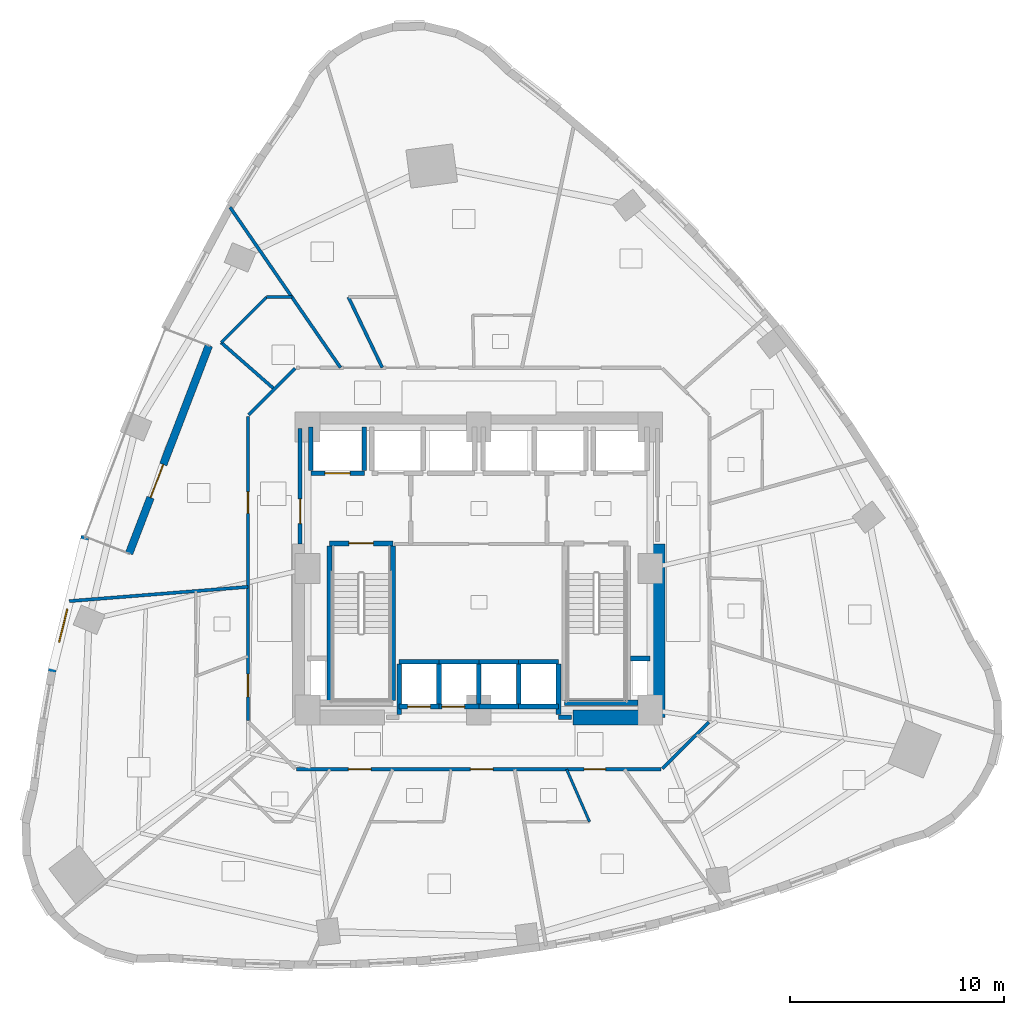
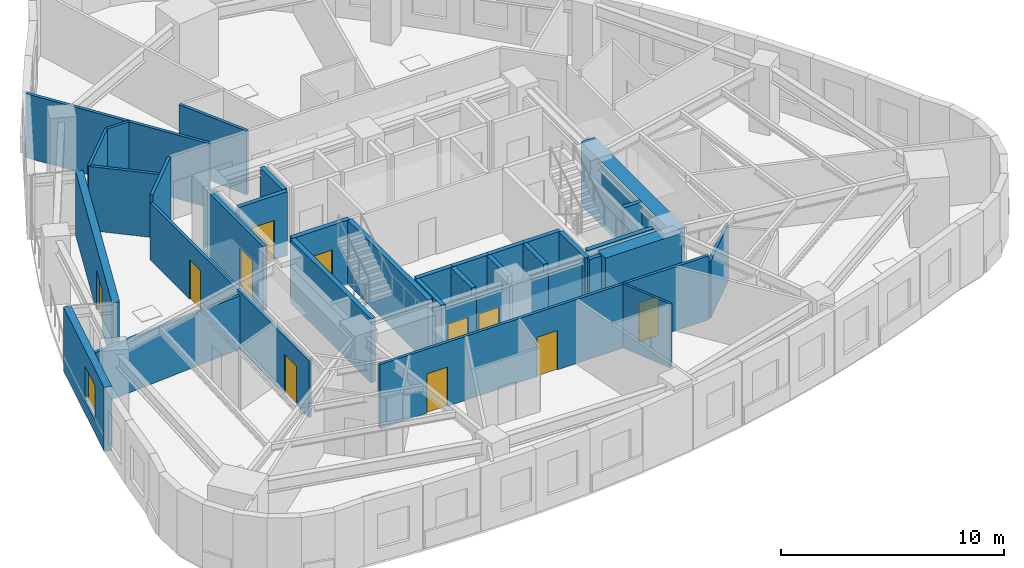
# One storey, part 6 of 12: 38 walls, 11 doors, 1 window, 12 openings.
"""IFC4 building model written with IfcOpenShell, lengths in metres."""

from ifc_helpers import new_model, si_unit, direction, frame, frame_2d, origin, place, context, subcontext, project, spatial, rectangle, extrude, material, layer, layer_set, type_object, element, fill, save


model = new_model("IFC4")

# Units and contexts
model_context = context("Model", 3, precision=1e-05, world=origin(), true_north=direction((0.0, 1.0)))
body_context = subcontext(model_context, "Body", "Model", "MODEL_VIEW")
ifc_project = project(units=[si_unit("LENGTHUNIT", "METRE"), si_unit("AREAUNIT", "SQUARE_METRE"), si_unit("VOLUMEUNIT", "CUBIC_METRE"), si_unit("PLANEANGLEUNIT", "RADIAN"), si_unit("MASSUNIT", "GRAM", prefix="KILO")], contexts=[model_context])

# Site, building, storey
site_placement = place(None, origin())
site = spatial("IfcSite", under=ifc_project, at=site_placement, CompositionType="ELEMENT")
building_placement = place(site_placement, origin())
building = spatial("IfcBuilding", under=site, at=building_placement, Name="Ndelora Gate Hotel", CompositionType="ELEMENT")
storey_placement = place(building_placement, frame((0.0, 0.0, 64.25)))
storey = spatial("IfcBuildingStorey", under=building, at=storey_placement, Name="L15", CompositionType="ELEMENT", Elevation=64.25)

# Wall, opening, door
ifc_material_1 = material(Name="Clay Brick Masonry", Category="masonry")
ifc_layer_1 = layer(ifc_material_1, 0.360107421875)
ifc_layer_set_1 = layer_set([ifc_layer_1], Name="Clay Brick Masonry")
wall_type_1 = type_object("IfcWallType", Name="WL-BRICK-360", PredefinedType="SOLIDWALL", material=ifc_layer_set_1)
wall_1_placement = place(storey_placement, frame((-16.335693359375, 0.70068359375, 0.0), z_axis=(0.0, 0.0, 1.0), x_axis=(0.358370224529, 0.93357955321, 0.0)))
wall_1 = element("IfcWall", 1, at=wall_1_placement, inside=storey, type_object=wall_type_1, Name="L15 Sky-Garden Loggia Rear Brick Wall", PredefinedType="SOLIDWALL", context=body_context, shape_type="SweptSolid", body=[
    extrude(rectangle(XDim=10.39990234375, YDim=0.360107421875, at=frame_2d((5.199951171875, 0.0))), origin(), (0.0, 0.0, 1.0), 3.5),
])
opening_1_placement = place(wall_1_placement, frame((2.800048828125, 0.0, 0.0)))
opening_1 = element("IfcOpeningElement", 2, at=opening_1_placement, cuts=wall_1, Name="Opening TD1", PredefinedType="OPENING", context=body_context, shape_type="SweptSolid", body=[
    extrude(rectangle(XDim=1.64990234375, YDim=2.25, at=frame_2d((0.824951171875, 1.125))), frame((0.0, 0.18994140625, 0.0), z_axis=(0.0, -1.0, 0.0), x_axis=(1.0, 0.0, 0.0)), (0.0, 0.0, 1.0), 0.380126953125),
])
ifc_material_2 = material(Name="Architectural Bronze Glazed Door", Category="metal")
door_type_1 = type_object("IfcDoorType", Name="DR-TER-1650", OperationType="DOUBLE_DOOR_SINGLE_SWING", PredefinedType="DOOR", material=ifc_material_2)
door_1_placement = place(opening_1_placement, origin())
door_1 = element("IfcDoor", 3, at=door_1_placement, inside=storey, type_object=door_type_1, Name="L15 Sky-Garden Terrace Double Door TD1", OperationType="DOUBLE_DOOR_SINGLE_SWING", OverallHeight=2.25, OverallWidth=1.64990234375, PredefinedType="DOOR", context=body_context, shape_type="SweptSolid", body=[
    extrude(rectangle(XDim=1.64990234375, YDim=2.25, at=frame_2d((0.824951171875, 1.125))), frame((0.0, 0.02490234375, 0.0), z_axis=(0.0, -1.0, 0.0), x_axis=(1.0, 0.0, 0.0)), (0.0, 0.0, 1.0), 0.050048828125),
])
fill(opening_1, door_1)

# Wall, opening, window
wall_2_placement = place(storey_placement, frame((-19.951416015625, -4.86279296875, 0.0), z_axis=(0.0, 0.0, 1.0), x_axis=(0.238780649109, 0.971073530486, 0.0)))
wall_2 = element("IfcWall", 4, at=wall_2_placement, inside=storey, type_object=wall_type_1, Name="L15 Tower Brick Pier-and-Spandrel Wall TWR-16", PredefinedType="SOLIDWALL", context=body_context, shape_type="SweptSolid", body=[
    extrude(rectangle(XDim=6.566162109375, YDim=0.360107421875, at=frame_2d((3.283203125, 0.0))), origin(), (0.0, 0.0, 1.0), 3.5),
])
opening_2_placement = place(wall_2_placement, frame((1.4599609375, 0.0, 0.719970703125)))
opening_2 = element("IfcOpeningElement", 5, at=opening_2_placement, cuts=wall_2, Name="Opening W01", PredefinedType="OPENING", context=body_context, shape_type="SweptSolid", body=[
    extrude(rectangle(XDim=1.60009765625, YDim=1.8798828125, at=frame_2d((0.800048828125, 0.93994140625))), frame((0.0, 0.18994140625, 0.0), z_axis=(0.0, -1.0, 0.0), x_axis=(1.0, 0.0, 0.0)), (0.0, 0.0, 1.0), 0.380126953125),
])
ifc_material_3 = material(Name="Insulated Low-E Double Glazing in Bronze Aluminium Frame", Category="aluminium")
window_type = type_object("IfcWindowType", Name="WN-DEEP-1600", PartitioningType="SINGLE_PANEL", PredefinedType="WINDOW", material=ifc_material_3)
window_placement = place(opening_2_placement, origin())
window = element("IfcWindow", 6, at=window_placement, inside=storey, type_object=window_type, Name="L15 Deep-Set Brick-Pier Window W01", OverallHeight=1.8798828125, OverallWidth=1.60009765625, PartitioningType="SINGLE_PANEL", PredefinedType="WINDOW", context=body_context, shape_type="SweptSolid", body=[
    extrude(rectangle(XDim=1.60009765625, YDim=1.8798828125, at=frame_2d((0.800048828125, 0.93994140625))), frame((0.0, 0.030029296875, 0.0), z_axis=(0.0, -1.0, 0.0), x_axis=(1.0, 0.0, 0.0)), (0.0, 0.0, 1.0), 0.06005859375),
])
fill(opening_2, window)

# Walls
ifc_material_4 = material(Name="Concrete C60/75", Category="concrete")
ifc_layer_2 = layer(ifc_material_4, 0.699951171875)
ifc_layer_set_2 = layer_set([ifc_layer_2], Name="Concrete C60/75")
wall_type_2 = type_object("IfcWallType", Name="WL-CORE-700", PredefinedType="SHEAR", material=ifc_layer_set_2)
wall_3_placement = place(storey_placement, frame((4.39990234375, -6.949951171875, 0.0), z_axis=(0.0, 0.0, 1.0), x_axis=(1.0, 0.0, 0.0)))
element("IfcWall", 7, at=wall_3_placement, inside=storey, type_object=wall_type_2, Name="L15 Core Shear Wall S-E", PredefinedType="SHEAR", context=body_context, shape_type="SweptSolid", body=[
    extrude(rectangle(XDim=3.9501953125, YDim=0.699951171875, at=frame_2d((1.97509765625, 0.0))), origin(), (0.0, 0.0, 1.0), 3.5),
])
wall_4_placement = place(storey_placement, frame((8.35009765625, -6.949951171875, 0.0), z_axis=(0.0, 0.0, 1.0), x_axis=(0.0, 1.0, 0.0)))
element("IfcWall", 8, at=wall_4_placement, inside=storey, type_object=wall_type_2, Name="L15 Core Shear Wall E", PredefinedType="SHEAR", context=body_context, shape_type="SweptSolid", body=[
    extrude(rectangle(XDim=8.099853515625, YDim=0.699951171875, at=frame_2d((4.0498046875, 0.0))), origin(), (0.0, 0.0, 1.0), 3.5),
])

# Wall, opening, door
ifc_material_5 = material(Name="Concrete C40/50", Category="concrete")
ifc_layer_3 = layer(ifc_material_5, 0.199951171875)
ifc_layer_set_3 = layer_set([ifc_layer_3], Name="Concrete C40/50")
wall_type_3 = type_object("IfcWallType", Name="WL-FIRE-200", PredefinedType="PARTITIONING", material=ifc_layer_set_3)
wall_5_placement = place(storey_placement, frame((-8.35009765625, 1.14990234375, 0.0), z_axis=(0.0, 0.0, 1.0), x_axis=(0.0, 1.0, 0.0)))
wall_5 = element("IfcWall", 9, at=wall_5_placement, inside=storey, type_object=wall_type_3, Name="L15 Interior Wall IW-2", PredefinedType="PARTITIONING", context=body_context, shape_type="SweptSolid", body=[
    extrude(rectangle(XDim=5.400146484375, YDim=0.199951171875, at=frame_2d((2.7001953125, 0.0))), origin(), (0.0, 0.0, 1.0), 3.5),
])
opening_3_placement = place(wall_5_placement, frame((0.949951171875, 0.0, 0.0)))
opening_3 = element("IfcOpeningElement", 10, at=opening_3_placement, cuts=wall_5, Name="Opening FD1", PredefinedType="OPENING", context=body_context, shape_type="SweptSolid", body=[
    extrude(rectangle(XDim=1.14990234375, YDim=2.14990234375, at=frame_2d((0.574951171875, 1.074951171875))), frame((0.0, 0.10986328125, 0.0), z_axis=(0.0, -1.0, 0.0), x_axis=(1.0, 0.0, 0.0)), (0.0, 0.0, 1.0), 0.219970703125),
])
ifc_material_6 = material(Name="Fire-Rated Timber-Veneer Steel Core", Category="steel")
door_type_2 = type_object("IfcDoorType", Name="DR-FD60", OperationType="SINGLE_SWING_LEFT", PredefinedType="DOOR", material=ifc_material_6)
door_2_placement = place(opening_3_placement, origin())
door_2 = element("IfcDoor", 11, at=door_2_placement, inside=storey, type_object=door_type_2, Name="L15 Firefighting Lobby West Corridor Door", OperationType="SINGLE_SWING_LEFT", OverallHeight=2.14990234375, OverallWidth=1.14990234375, PredefinedType="DOOR", context=body_context, shape_type="SweptSolid", body=[
    extrude(rectangle(XDim=1.14990234375, YDim=2.14990234375, at=frame_2d((0.574951171875, 1.074951171875))), frame((0.0, 0.02490234375, 0.0), z_axis=(0.0, -1.0, 0.0), x_axis=(1.0, 0.0, 0.0)), (0.0, 0.0, 1.0), 0.050048828125),
])
fill(opening_3, door_2)

# Wall
wall_6_placement = place(storey_placement, frame((3.719970703125, -6.949951171875, 0.0), z_axis=(0.0, 0.0, 1.0), x_axis=(1.0, 0.0, 0.0)))
element("IfcWall", 12, at=wall_6_placement, inside=storey, type_object=wall_type_3, Name="L15 Interior Wall IW-2", PredefinedType="PARTITIONING", context=body_context, shape_type="SweptSolid", body=[
    extrude(rectangle(XDim=0.60009765625, YDim=0.199951171875, at=frame_2d((0.300048828125, 0.0))), origin(), (0.0, 0.0, 1.0), 3.5),
])

# Wall, openings, doors
ifc_material_7 = material(Name="Fire-Rated Gypsum Stud Partition", Category="gypsum")
ifc_layer_4 = layer(ifc_material_7, 0.14990234375)
ifc_layer_set_4 = layer_set([ifc_layer_4], Name="Fire-Rated Gypsum Stud Partition")
wall_type_4 = type_object("IfcWallType", Name="WL-PART-150", PredefinedType="PARTITIONING", material=ifc_layer_set_4)
wall_7_placement = place(storey_placement, frame((8.510009765625, -9.3798828125, 0.0), z_axis=(0.0, 0.0, 1.0), x_axis=(-1.0, 0.0, 0.0)))
wall_7 = element("IfcWall", 13, at=wall_7_placement, inside=storey, type_object=wall_type_4, Name="L15 Interior Wall IW-5", PredefinedType="PARTITIONING", context=body_context, shape_type="SweptSolid", body=[
    extrude(rectangle(XDim=17.02001953125, YDim=0.14990234375, at=frame_2d((8.510009765625, 0.0))), origin(), (0.0, 0.0, 1.0), 3.5),
])
opening_4_placement = place(wall_7_placement, frame((2.58935546875, 0.0, 0.0)))
opening_4 = element("IfcOpeningElement", 14, at=opening_4_placement, cuts=wall_7, Name="Opening D01", PredefinedType="OPENING", context=body_context, shape_type="SweptSolid", body=[
    extrude(rectangle(XDim=1.0, YDim=2.14990234375, at=frame_2d((0.5, 1.074951171875))), frame((0.0, 0.0849609375, 0.0), z_axis=(0.0, -1.0, 0.0), x_axis=(1.0, 0.0, 0.0)), (0.0, 0.0, 1.0), 0.169921875),
])
opening_5_placement = place(wall_7_placement, frame((7.842529296875, 0.0, 0.0)))
opening_5 = element("IfcOpeningElement", 15, at=opening_5_placement, cuts=wall_7, Name="Opening D07", PredefinedType="OPENING", context=body_context, shape_type="SweptSolid", body=[
    extrude(rectangle(XDim=1.06005859375, YDim=2.14990234375, at=frame_2d((0.530029296875, 1.074951171875))), frame((0.0, 0.0849609375, 0.0), z_axis=(0.0, -1.0, 0.0), x_axis=(1.0, 0.0, 0.0)), (0.0, 0.0, 1.0), 0.169921875),
])
opening_6_placement = place(wall_7_placement, frame((13.537353515625, 0.0, 0.0)))
opening_6 = element("IfcOpeningElement", 16, at=opening_6_placement, cuts=wall_7, Name="Opening D07", PredefinedType="OPENING", context=body_context, shape_type="SweptSolid", body=[
    extrude(rectangle(XDim=1.06005859375, YDim=2.14990234375, at=frame_2d((0.530029296875, 1.074951171875))), frame((0.0, 0.0849609375, 0.0), z_axis=(0.0, -1.0, 0.0), x_axis=(1.0, 0.0, 0.0)), (0.0, 0.0, 1.0), 0.169921875),
])
ifc_material_8 = material(Name="Acoustic Hardwood Guest Entrance Door", Category="wood")
door_type_3 = type_object("IfcDoorType", Name="DR-COR-1000", OperationType="SINGLE_SWING_LEFT", PredefinedType="DOOR", material=ifc_material_8)
door_3_placement = place(opening_4_placement, origin())
door_3 = element("IfcDoor", 17, at=door_3_placement, inside=storey, type_object=door_type_3, Name="L15 Executive King Guest Room 1804 Entrance Door", OperationType="SINGLE_SWING_LEFT", OverallHeight=2.14990234375, OverallWidth=1.0, PredefinedType="DOOR", context=body_context, shape_type="SweptSolid", body=[
    extrude(rectangle(XDim=1.0, YDim=2.14990234375, at=frame_2d((0.5, 1.074951171875))), frame((0.0, 0.02490234375, 0.0), z_axis=(0.0, -1.0, 0.0), x_axis=(1.0, 0.0, 0.0)), (0.0, 0.0, 1.0), 0.050048828125),
])
fill(opening_4, door_3)
ifc_material_9 = material(Name="Diplomatic Suite Acoustic Entrance Door", Category="wood")
door_type_4 = type_object("IfcDoorType", Name="DR-SUITE-1060", OperationType="SINGLE_SWING_LEFT", PredefinedType="DOOR", material=ifc_material_9)
door_4_placement = place(opening_5_placement, origin())
door_4 = element("IfcDoor", 18, at=door_4_placement, inside=storey, type_object=door_type_4, Name="L15 Corner Junior Suite 1803 Entrance Door", OperationType="SINGLE_SWING_RIGHT", OverallHeight=2.14990234375, OverallWidth=1.06005859375, PredefinedType="DOOR", context=body_context, shape_type="SweptSolid", body=[
    extrude(rectangle(XDim=1.06005859375, YDim=2.14990234375, at=frame_2d((0.530029296875, 1.074951171875))), frame((0.0, 0.02490234375, 0.0), z_axis=(0.0, -1.0, 0.0), x_axis=(1.0, 0.0, 0.0)), (0.0, 0.0, 1.0), 0.050048828125),
])
fill(opening_5, door_4)
door_5_placement = place(opening_6_placement, origin())
door_5 = element("IfcDoor", 19, at=door_5_placement, inside=storey, type_object=door_type_4, Name="L15 Twin Junior Suite 1802 Entrance Door", OperationType="SINGLE_SWING_RIGHT", OverallHeight=2.14990234375, OverallWidth=1.06005859375, PredefinedType="DOOR", context=body_context, shape_type="SweptSolid", body=[
    extrude(rectangle(XDim=1.06005859375, YDim=2.14990234375, at=frame_2d((0.530029296875, 1.074951171875))), frame((0.0, 0.02490234375, 0.0), z_axis=(0.0, -1.0, 0.0), x_axis=(1.0, 0.0, 0.0)), (0.0, 0.0, 1.0), 0.050048828125),
])
fill(opening_6, door_5)

# Walls
wall_8_placement = place(storey_placement, frame((10.751708984375, -7.17822265625, 0.0), z_axis=(0.0, 0.0, 1.0), x_axis=(-0.707067066127, -0.707146494016, 0.0)))
element("IfcWall", 20, at=wall_8_placement, inside=storey, type_object=wall_type_4, Name="L15 Interior Wall IW-5", PredefinedType="PARTITIONING", context=body_context, shape_type="SweptSolid", body=[
    extrude(rectangle(XDim=3.07373046875, YDim=0.14990234375, at=frame_2d((1.536865234375, 0.0))), origin(), (0.0, 0.0, 1.0), 3.1201171875),
])
wall_9_placement = place(storey_placement, frame((-10.751708984375, 7.17822265625, 0.0), z_axis=(0.0, 0.0, 1.0), x_axis=(0.707067066127, 0.707146494016, 0.0)))
element("IfcWall", 21, at=wall_9_placement, inside=storey, type_object=wall_type_4, Name="L15 Interior Wall IW-5", PredefinedType="PARTITIONING", context=body_context, shape_type="SweptSolid", body=[
    extrude(rectangle(XDim=3.07373046875, YDim=0.14990234375, at=frame_2d((1.536865234375, 0.0))), origin(), (0.0, 0.0, 1.0), 3.5),
])

# Wall, openings, doors
wall_10_placement = place(storey_placement, frame((-10.780029296875, -7.110107421875, 0.0), z_axis=(0.0, 0.0, 1.0), x_axis=(0.0, 1.0, 0.0)))
wall_10 = element("IfcWall", 22, at=wall_10_placement, inside=storey, type_object=wall_type_4, Name="L15 Interior Wall IW-5", PredefinedType="PARTITIONING", context=body_context, shape_type="SweptSolid", body=[
    extrude(rectangle(XDim=14.22021484375, YDim=0.14990234375, at=frame_2d((7.110107421875, 0.0))), origin(), (0.0, 0.0, 1.0), 3.1201171875),
])
opening_7_placement = place(wall_10_placement, frame((9.685302734375, 0.0, 0.0)))
opening_7 = element("IfcOpeningElement", 23, at=opening_7_placement, cuts=wall_10, Name="Opening D01", PredefinedType="OPENING", context=body_context, shape_type="SweptSolid", body=[
    extrude(rectangle(XDim=1.0, YDim=2.14990234375, at=frame_2d((0.5, 1.074951171875))), frame((0.0, 0.0849609375, 0.0), z_axis=(0.0, -1.0, 0.0), x_axis=(1.0, 0.0, 0.0)), (0.0, 0.0, 1.0), 0.169921875),
])
opening_8_placement = place(wall_10_placement, frame((1.11279296875, 0.0, 0.0)))
opening_8 = element("IfcOpeningElement", 24, at=opening_8_placement, cuts=wall_10, Name="Opening D07", PredefinedType="OPENING", context=body_context, shape_type="SweptSolid", body=[
    extrude(rectangle(XDim=1.06005859375, YDim=2.14990234375, at=frame_2d((0.530029296875, 1.074951171875))), frame((0.0, 0.0849609375, 0.0), z_axis=(0.0, -1.0, 0.0), x_axis=(1.0, 0.0, 0.0)), (0.0, 0.0, 1.0), 0.169921875),
])
door_6_placement = place(opening_7_placement, origin())
door_6 = element("IfcDoor", 25, at=door_6_placement, inside=storey, type_object=door_type_3, Name="L15 Sky Garden Tea Dining Room Entrance Door", OperationType="SINGLE_SWING_LEFT", OverallHeight=2.14990234375, OverallWidth=1.0, PredefinedType="DOOR", context=body_context, shape_type="SweptSolid", body=[
    extrude(rectangle(XDim=1.0, YDim=2.14990234375, at=frame_2d((0.5, 1.074951171875))), frame((0.0, 0.02490234375, 0.0), z_axis=(0.0, -1.0, 0.0), x_axis=(1.0, 0.0, 0.0)), (0.0, 0.0, 1.0), 0.050048828125),
])
fill(opening_7, door_6)
door_7_placement = place(opening_8_placement, origin())
door_7 = element("IfcDoor", 26, at=door_7_placement, inside=storey, type_object=door_type_4, Name="L15 Superior Double Junior Suite 1801 Entrance Door", OperationType="SINGLE_SWING_RIGHT", OverallHeight=2.14990234375, OverallWidth=1.06005859375, PredefinedType="DOOR", context=body_context, shape_type="SweptSolid", body=[
    extrude(rectangle(XDim=1.06005859375, YDim=2.14990234375, at=frame_2d((0.530029296875, 1.074951171875))), frame((0.0, 0.02490234375, 0.0), z_axis=(0.0, -1.0, 0.0), x_axis=(1.0, 0.0, 0.0)), (0.0, 0.0, 1.0), 0.050048828125),
])
fill(opening_8, door_7)

# Walls
wall_11_placement = place(storey_placement, frame((-9.552490234375, 8.37744140625, 0.0), z_axis=(0.0, 0.0, 1.0), x_axis=(-0.751807906315, 0.659382189631, 0.0)))
element("IfcWall", 27, at=wall_11_placement, inside=storey, type_object=wall_type_4, Name="L15 Interior Wall IW-5", PredefinedType="PARTITIONING", context=body_context, shape_type="SweptSolid", body=[
    extrude(rectangle(XDim=3.30712890625, YDim=0.14990234375, at=frame_2d((1.653564453125, 0.0))), origin(), (0.0, 0.0, 1.0), 3.5),
])
wall_12_placement = place(storey_placement, frame((-10.780029296875, -0.85888671875, 0.0), z_axis=(0.0, 0.0, 1.0), x_axis=(-0.996838958, -0.079448674079, 0.0)))
element("IfcWall", 28, at=wall_12_placement, inside=storey, type_object=wall_type_4, Name="L15 Interior Wall IW-5", PredefinedType="PARTITIONING", context=body_context, shape_type="SweptSolid", body=[
    extrude(rectangle(XDim=8.376708984375, YDim=0.14990234375, at=frame_2d((4.1884765625, 0.0))), origin(), (0.0, 0.0, 1.0), 2.929931640625),
])
wall_13_placement = place(storey_placement, frame((-4.507568359375, 9.3798828125, 0.0), z_axis=(0.0, 0.0, 1.0), x_axis=(-0.433155901161, 0.901319014162, 0.0)))
element("IfcWall", 29, at=wall_13_placement, inside=storey, type_object=wall_type_4, Name="L15 Interior Wall IW-5", PredefinedType="PARTITIONING", context=body_context, shape_type="SweptSolid", body=[
    extrude(rectangle(XDim=3.661376953125, YDim=0.14990234375, at=frame_2d((1.83056640625, 0.0))), origin(), (0.0, 0.0, 1.0), 3.5),
])
wall_14_placement = place(storey_placement, frame((-6.460205078125, 9.3798828125, 0.0), z_axis=(0.0, 0.0, 1.0), x_axis=(-0.567187966885, 0.823588374263, 0.0)))
element("IfcWall", 30, at=wall_14_placement, inside=storey, type_object=wall_type_4, Name="L15 Interior Wall IW-5", PredefinedType="PARTITIONING", context=body_context, shape_type="SweptSolid", body=[
    extrude(rectangle(XDim=9.09912109375, YDim=0.14990234375, at=frame_2d((4.549560546875, 0.0))), origin(), (0.0, 0.0, 1.0), 3.5),
])
ifc_layer_5 = layer(ifc_material_5, 0.219970703125)
ifc_layer_set_5 = layer_set([ifc_layer_5], Name="Concrete C40/50")
wall_type_5 = type_object("IfcWallType", Name="WL-SHAFT-220", PredefinedType="PARTITIONING", material=ifc_layer_set_5)
wall_15_placement = place(storey_placement, frame((7.090087890625, -4.199951171875, 0.0), z_axis=(0.0, 0.0, 1.0), x_axis=(1.0, 0.0, 0.0)))
element("IfcWall", 31, at=wall_15_placement, inside=storey, type_object=wall_type_5, Name="L15 Interior Wall IW-1", PredefinedType="PARTITIONING", context=body_context, shape_type="SweptSolid", body=[
    extrude(rectangle(XDim=0.909912109375, YDim=0.219970703125, at=frame_2d((0.455078125, 0.0))), origin(), (0.0, 0.0, 1.0), 3.5),
])

# Wall, opening, door
wall_16_placement = place(storey_placement, frame((-7.85009765625, 4.449951171875, 0.0), z_axis=(0.0, 0.0, 1.0), x_axis=(1.0, 0.0, 0.0)))
wall_16 = element("IfcWall", 32, at=wall_16_placement, inside=storey, type_object=wall_type_5, Name="L15 Interior Wall IW-1", PredefinedType="PARTITIONING", context=body_context, shape_type="SweptSolid", body=[
    extrude(rectangle(XDim=2.5, YDim=0.219970703125, at=frame_2d((1.25, 0.0))), origin(), (0.0, 0.0, 1.0), 3.5),
])
opening_9_placement = place(wall_16_placement, frame((0.659912109375, 0.0, 0.0)))
opening_9 = element("IfcOpeningElement", 33, at=opening_9_placement, cuts=wall_16, Name="Opening LD5", PredefinedType="OPENING", context=body_context, shape_type="SweptSolid", body=[
    extrude(rectangle(XDim=1.179931640625, YDim=2.14990234375, at=frame_2d((0.58984375, 1.074951171875))), frame((0.0, 0.1201171875, 0.0), z_axis=(0.0, -1.0, 0.0), x_axis=(1.0, 0.0, 0.0)), (0.0, 0.0, 1.0), 0.239990234375),
])
ifc_material_10 = material(Name="Firefighting Lift Stainless Sliding Landing Door", Category="metal")
door_type_5 = type_object("IfcDoorType", Name="DR-LD5", OperationType="DOUBLE_DOOR_SLIDING", PredefinedType="DOOR", material=ifc_material_10)
door_8_placement = place(opening_9_placement, origin())
door_8 = element("IfcDoor", 34, at=door_8_placement, inside=storey, type_object=door_type_5, Name="L15 Lift Landing Sliding Door FFL1", OperationType="DOUBLE_DOOR_SLIDING", OverallHeight=2.14990234375, OverallWidth=1.179931640625, PredefinedType="DOOR", context=body_context, shape_type="SweptSolid", body=[
    extrude(rectangle(XDim=1.179931640625, YDim=2.14990234375, at=frame_2d((0.58984375, 1.074951171875))), frame((0.0, 0.02490234375, 0.0), z_axis=(0.0, -1.0, 0.0), x_axis=(1.0, 0.0, 0.0)), (0.0, 0.0, 1.0), 0.050048828125),
])
fill(opening_9, door_8)

# Walls
wall_17_placement = place(storey_placement, frame((-7.85009765625, 4.570068359375, 0.0), z_axis=(0.0, 0.0, 1.0), x_axis=(0.0, 1.0, 0.0)))
element("IfcWall", 35, at=wall_17_placement, inside=storey, type_object=wall_type_5, Name="L15 Interior Wall IW-1", PredefinedType="PARTITIONING", context=body_context, shape_type="SweptSolid", body=[
    extrude(rectangle(XDim=2.030029296875, YDim=0.219970703125, at=frame_2d((1.01513671875, 0.0))), origin(), (0.0, 0.0, 1.0), 3.080078125),
])
wall_18_placement = place(storey_placement, frame((-5.35009765625, 4.570068359375, 0.0), z_axis=(0.0, 0.0, 1.0), x_axis=(0.0, 1.0, 0.0)))
element("IfcWall", 36, at=wall_18_placement, inside=storey, type_object=wall_type_5, Name="L15 Interior Wall IW-1", PredefinedType="PARTITIONING", context=body_context, shape_type="SweptSolid", body=[
    extrude(rectangle(XDim=2.030029296875, YDim=0.219970703125, at=frame_2d((1.01513671875, 0.0))), origin(), (0.0, 0.0, 1.0), 3.5),
])

# Wall, opening, door
wall_19_placement = place(storey_placement, frame((-3.719970703125, -6.449951171875, 0.0), z_axis=(0.0, 0.0, 1.0), x_axis=(1.0, 0.0, 0.0)))
wall_19 = element("IfcWall", 37, at=wall_19_placement, inside=storey, type_object=wall_type_5, Name="L15 Interior Wall IW-1", PredefinedType="PARTITIONING", context=body_context, shape_type="SweptSolid", body=[
    extrude(rectangle(XDim=1.85986328125, YDim=0.219970703125, at=frame_2d((0.929931640625, 0.0))), origin(), (0.0, 0.0, 1.0), 3.080078125),
])
opening_10_placement = place(wall_19_placement, frame((0.39990234375, 0.0, 0.0)))
opening_10 = element("IfcOpeningElement", 38, at=opening_10_placement, cuts=wall_19, Name="Opening LD1", PredefinedType="OPENING", context=body_context, shape_type="SweptSolid", body=[
    extrude(rectangle(XDim=1.06005859375, YDim=2.14990234375, at=frame_2d((0.530029296875, 1.074951171875))), frame((0.0, 0.1201171875, 0.0), z_axis=(0.0, -1.0, 0.0), x_axis=(1.0, 0.0, 0.0)), (0.0, 0.0, 1.0), 0.239990234375),
])
ifc_material_11 = material(Name="Brushed Bronze Stainless Lift Landing Door", Category="metal")
door_type_6 = type_object("IfcDoorType", Name="DR-LD1", OperationType="DOUBLE_DOOR_SLIDING", PredefinedType="DOOR", material=ifc_material_11)
door_9_placement = place(opening_10_placement, origin())
door_9 = element("IfcDoor", 39, at=door_9_placement, inside=storey, type_object=door_type_6, Name="L15 Lift Landing Sliding Door P1A", OperationType="DOUBLE_DOOR_SLIDING", OverallHeight=2.14990234375, OverallWidth=1.06005859375, PredefinedType="DOOR", context=body_context, shape_type="SweptSolid", body=[
    extrude(rectangle(XDim=1.06005859375, YDim=2.14990234375, at=frame_2d((0.530029296875, 1.074951171875))), frame((0.0, 0.02490234375, 0.0), z_axis=(0.0, -1.0, 0.0), x_axis=(1.0, 0.0, 0.0)), (0.0, 0.0, 1.0), 0.050048828125),
])
fill(opening_10, door_9)

# Walls
wall_20_placement = place(storey_placement, frame((-3.719970703125, -4.35009765625, 0.0), z_axis=(0.0, 0.0, 1.0), x_axis=(1.0, 0.0, 0.0)))
element("IfcWall", 40, at=wall_20_placement, inside=storey, type_object=wall_type_5, Name="L15 Interior Wall IW-1", PredefinedType="PARTITIONING", context=body_context, shape_type="SweptSolid", body=[
    extrude(rectangle(XDim=1.85986328125, YDim=0.219970703125, at=frame_2d((0.929931640625, 0.0))), origin(), (0.0, 0.0, 1.0), 3.5),
])
wall_21_placement = place(storey_placement, frame((-3.719970703125, -6.830078125, 0.0), z_axis=(0.0, 0.0, 1.0), x_axis=(0.0, 1.0, 0.0)))
element("IfcWall", 41, at=wall_21_placement, inside=storey, type_object=wall_type_5, Name="L15 Interior Wall IW-1", PredefinedType="PARTITIONING", context=body_context, shape_type="SweptSolid", body=[
    extrude(rectangle(XDim=2.360107421875, YDim=0.219970703125, at=frame_2d((1.18017578125, 0.0))), origin(), (0.0, 0.0, 1.0), 3.5),
])
wall_22_placement = place(storey_placement, frame((-1.860107421875, -6.330078125, 0.0), z_axis=(0.0, 0.0, 1.0), x_axis=(0.0, 1.0, 0.0)))
element("IfcWall", 42, at=wall_22_placement, inside=storey, type_object=wall_type_5, Name="L15 Interior Wall IW-1", PredefinedType="PARTITIONING", context=body_context, shape_type="SweptSolid", body=[
    extrude(rectangle(XDim=1.860107421875, YDim=0.219970703125, at=frame_2d((0.93017578125, 0.0))), origin(), (0.0, 0.0, 1.0), 3.5),
])

# Wall, opening, door
wall_23_placement = place(storey_placement, frame((-1.860107421875, -6.449951171875, 0.0), z_axis=(0.0, 0.0, 1.0), x_axis=(1.0, 0.0, 0.0)))
wall_23 = element("IfcWall", 43, at=wall_23_placement, inside=storey, type_object=wall_type_5, Name="L15 Interior Wall IW-1", PredefinedType="PARTITIONING", context=body_context, shape_type="SweptSolid", body=[
    extrude(rectangle(XDim=1.860107421875, YDim=0.219970703125, at=frame_2d((0.93017578125, 0.0))), origin(), (0.0, 0.0, 1.0), 3.080078125),
])
opening_11_placement = place(wall_23_placement, frame((0.139892578125, 0.0, 0.0)))
opening_11 = element("IfcOpeningElement", 44, at=opening_11_placement, cuts=wall_23, Name="Opening LD1", PredefinedType="OPENING", context=body_context, shape_type="SweptSolid", body=[
    extrude(rectangle(XDim=1.06005859375, YDim=2.14990234375, at=frame_2d((0.530029296875, 1.074951171875))), frame((0.0, 0.1201171875, 0.0), z_axis=(0.0, -1.0, 0.0), x_axis=(1.0, 0.0, 0.0)), (0.0, 0.0, 1.0), 0.239990234375),
])
door_10_placement = place(opening_11_placement, origin())
door_10 = element("IfcDoor", 45, at=door_10_placement, inside=storey, type_object=door_type_6, Name="L15 Lift Landing Sliding Door P1B", OperationType="DOUBLE_DOOR_SLIDING", OverallHeight=2.14990234375, OverallWidth=1.06005859375, PredefinedType="DOOR", context=body_context, shape_type="SweptSolid", body=[
    extrude(rectangle(XDim=1.06005859375, YDim=2.14990234375, at=frame_2d((0.530029296875, 1.074951171875))), frame((0.0, 0.02490234375, 0.0), z_axis=(0.0, -1.0, 0.0), x_axis=(1.0, 0.0, 0.0)), (0.0, 0.0, 1.0), 0.050048828125),
])
fill(opening_11, door_10)

# Walls
for number, where, z_axis, x_axis, name in (
    (46, (-1.860107421875, -4.35009765625, 0.0), (0.0, 0.0, 1.0), (1.0, 0.0, 0.0), "L15 Interior Wall IW-1"),
    (47, (0.0, -6.330078125, 0.0), (0.0, 0.0, 1.0), (0.0, 1.0, 0.0), "L15 Interior Wall IW-1"),
):
    element("IfcWall", number, at=place(storey_placement, frame(where, z_axis=z_axis, x_axis=x_axis)), inside=storey, type_object=wall_type_5, Name=name, PredefinedType="PARTITIONING", context=body_context, shape_type="SweptSolid", body=[
        extrude(rectangle(XDim=1.860107421875, YDim=0.219970703125, at=frame_2d((0.93017578125, 0.0))), origin(), (0.0, 0.0, 1.0), 3.5),
    ])
wall_24_placement = place(storey_placement, frame((0.0, -6.449951171875, 0.0), z_axis=(0.0, 0.0, 1.0), x_axis=(1.0, 0.0, 0.0)))
element("IfcWall", 48, at=wall_24_placement, inside=storey, type_object=wall_type_5, Name="L15 Interior Wall IW-1", PredefinedType="PARTITIONING", context=body_context, shape_type="SweptSolid", body=[
    extrude(rectangle(XDim=1.860107421875, YDim=0.219970703125, at=frame_2d((0.93017578125, 0.0))), origin(), (0.0, 0.0, 1.0), 3.080078125),
])
for number, where, z_axis, x_axis, name in (
    (49, (0.0, -4.35009765625, 0.0), (0.0, 0.0, 1.0), (1.0, 0.0, 0.0), "L15 Interior Wall IW-1"),
    (50, (1.860107421875, -6.330078125, 0.0), (0.0, 0.0, 1.0), (0.0, 1.0, 0.0), "L15 Interior Wall IW-1"),
):
    element("IfcWall", number, at=place(storey_placement, frame(where, z_axis=z_axis, x_axis=x_axis)), inside=storey, type_object=wall_type_5, Name=name, PredefinedType="PARTITIONING", context=body_context, shape_type="SweptSolid", body=[
        extrude(rectangle(XDim=1.860107421875, YDim=0.219970703125, at=frame_2d((0.93017578125, 0.0))), origin(), (0.0, 0.0, 1.0), 3.5),
    ])
wall_25_placement = place(storey_placement, frame((1.860107421875, -6.449951171875, 0.0), z_axis=(0.0, 0.0, 1.0), x_axis=(1.0, 0.0, 0.0)))
element("IfcWall", 51, at=wall_25_placement, inside=storey, type_object=wall_type_5, Name="L15 Interior Wall IW-1", PredefinedType="PARTITIONING", context=body_context, shape_type="SweptSolid", body=[
    extrude(rectangle(XDim=1.85986328125, YDim=0.219970703125, at=frame_2d((0.929931640625, 0.0))), origin(), (0.0, 0.0, 1.0), 3.080078125),
])
wall_26_placement = place(storey_placement, frame((1.860107421875, -4.35009765625, 0.0), z_axis=(0.0, 0.0, 1.0), x_axis=(1.0, 0.0, 0.0)))
element("IfcWall", 52, at=wall_26_placement, inside=storey, type_object=wall_type_5, Name="L15 Interior Wall IW-1", PredefinedType="PARTITIONING", context=body_context, shape_type="SweptSolid", body=[
    extrude(rectangle(XDim=1.85986328125, YDim=0.219970703125, at=frame_2d((0.929931640625, 0.0))), origin(), (0.0, 0.0, 1.0), 3.5),
])
wall_27_placement = place(storey_placement, frame((3.719970703125, -6.830078125, 0.0), z_axis=(0.0, 0.0, 1.0), x_axis=(0.0, 1.0, 0.0)))
element("IfcWall", 53, at=wall_27_placement, inside=storey, type_object=wall_type_5, Name="L15 Interior Wall IW-1", PredefinedType="PARTITIONING", context=body_context, shape_type="SweptSolid", body=[
    extrude(rectangle(XDim=2.360107421875, YDim=0.219970703125, at=frame_2d((1.18017578125, 0.0))), origin(), (0.0, 0.0, 1.0), 3.5),
])
ifc_material_12 = material(Name="Concrete C50/60", Category="concrete")
ifc_layer_6 = layer(ifc_material_12, 0.239990234375)
ifc_layer_set_6 = layer_set([ifc_layer_6], Name="Concrete C50/60")
wall_type_6 = type_object("IfcWallType", Name="WL-STAIR-240", PredefinedType="SHEAR", material=ifc_layer_set_6)
for number, where, z_axis, x_axis, name in (
    (54, (-6.969970703125, -6.159912109375, 0.0), (0.0, 0.0, 1.0), (0.0, 1.0, 0.0), "L15 Stair Core Shear Wall SW-ST"),
    (55, (-4.010009765625, -6.159912109375, 0.0), (0.0, 0.0, 1.0), (0.0, 1.0, 0.0), "L15 Stair Core Shear Wall SW-ST"),
):
    element("IfcWall", number, at=place(storey_placement, frame(where, z_axis=z_axis, x_axis=x_axis)), inside=storey, type_object=wall_type_6, Name=name, PredefinedType="SHEAR", context=body_context, shape_type="SweptSolid", body=[
        extrude(rectangle(XDim=7.219970703125, YDim=0.239990234375, at=frame_2d((3.60986328125, 0.0))), origin(), (0.0, 0.0, 1.0), 3.5),
    ])

# Wall, opening, door
wall_28_placement = place(storey_placement, frame((-6.969970703125, 1.169921875, 0.0), z_axis=(0.0, 0.0, 1.0), x_axis=(1.0, 0.0, 0.0)))
wall_28 = element("IfcWall", 56, at=wall_28_placement, inside=storey, type_object=wall_type_6, Name="L15 Stair Core Shear Wall SW-ST", PredefinedType="SHEAR", context=body_context, shape_type="SweptSolid", body=[
    extrude(rectangle(XDim=2.9599609375, YDim=0.239990234375, at=frame_2d((1.47998046875, 0.0))), origin(), (0.0, 0.0, 1.0), 3.5),
])
opening_12_placement = place(wall_28_placement, frame((0.89990234375, 0.0, 0.0)))
opening_12 = element("IfcOpeningElement", 57, at=opening_12_placement, cuts=wall_28, Name="Opening FD1", PredefinedType="OPENING", context=body_context, shape_type="SweptSolid", body=[
    extrude(rectangle(XDim=1.14990234375, YDim=2.14990234375, at=frame_2d((0.574951171875, 1.074951171875))), frame((0.0, 0.1298828125, 0.0), z_axis=(0.0, -1.0, 0.0), x_axis=(1.0, 0.0, 0.0)), (0.0, 0.0, 1.0), 0.260009765625),
])
door_11_placement = place(opening_12_placement, origin())
door_11 = element("IfcDoor", 58, at=door_11_placement, inside=storey, type_object=door_type_2, Name="L15 Exit Stair ST4 Door", OperationType="SINGLE_SWING_LEFT", OverallHeight=2.14990234375, OverallWidth=1.14990234375, PredefinedType="DOOR", context=body_context, shape_type="SweptSolid", body=[
    extrude(rectangle(XDim=1.14990234375, YDim=2.14990234375, at=frame_2d((0.574951171875, 1.074951171875))), frame((0.0, 0.02490234375, 0.0), z_axis=(0.0, -1.0, 0.0), x_axis=(1.0, 0.0, 0.0)), (0.0, 0.0, 1.0), 0.050048828125),
])
fill(opening_12, door_11)

# Walls
wall_29_placement = place(storey_placement, frame((4.010009765625, -6.27001953125, 0.0), z_axis=(0.0, 0.0, 1.0), x_axis=(1.0, 0.0, 0.0)))
element("IfcWall", 59, at=wall_29_placement, inside=storey, type_object=wall_type_6, Name="L15 Stair Core Shear Wall SW-ST", PredefinedType="SHEAR", context=body_context, shape_type="SweptSolid", body=[
    extrude(rectangle(XDim=3.4150390625, YDim=0.239990234375, at=frame_2d((1.70751953125, 0.0))), origin(), (0.0, 0.0, 1.0), 3.5),
])
ifc_material_13 = material(Name="Moisture-Resistant Bathroom Tile Partition", Category="gypsum")
ifc_layer_7 = layer(ifc_material_13, 0.1201171875)
ifc_layer_set_7 = layer_set([ifc_layer_7], Name="Moisture-Resistant Bathroom Tile Partition")
wall_type_7 = type_object("IfcWallType", Name="WL-WET-120", PredefinedType="PARTITIONING", material=ifc_layer_set_7)
wall_30_placement = place(storey_placement, frame((4.10009765625, -9.3798828125, 0.0), z_axis=(0.0, 0.0, 1.0), x_axis=(0.400531444998, -0.916283013904, 0.0)))
element("IfcWall", 60, at=wall_30_placement, inside=storey, type_object=wall_type_7, Name="L15 Interior Wall IW-7", PredefinedType="PARTITIONING", context=body_context, shape_type="SweptSolid", body=[
    extrude(rectangle(XDim=2.674072265625, YDim=0.1201171875, at=frame_2d((1.3369140625, 0.0))), origin(), (0.0, 0.0, 1.0), 3.5),
])
ifc_material_14 = material(Name="Moisture-Resistant Fire-Rated Tile Partition", Category="gypsum")
ifc_layer_8 = layer(ifc_material_14, 0.1298828125)
ifc_layer_set_8 = layer_set([ifc_layer_8], Name="Moisture-Resistant Fire-Rated Tile Partition")
wall_type_8 = type_object("IfcWallType", Name="WL-WET-RATED", PredefinedType="PARTITIONING", material=ifc_layer_set_8)
wall_31_placement = place(storey_placement, frame((-12.038818359375, 10.55810546875, 0.0), z_axis=(0.0, 0.0, 1.0), x_axis=(0.707106781187, 0.707106781187, 0.0)))
element("IfcWall", 61, at=wall_31_placement, inside=storey, type_object=wall_type_8, Name="L15 Interior Wall IW-6", PredefinedType="PARTITIONING", context=body_context, shape_type="SweptSolid", body=[
    extrude(rectangle(XDim=3.000732421875, YDim=0.1298828125, at=frame_2d((1.50048828125, 0.0))), origin(), (0.0, 0.0, 1.0), 3.5),
])
wall_32_placement = place(storey_placement, frame((-9.9169921875, 12.679931640625, 0.0), z_axis=(0.0, 0.0, 1.0), x_axis=(1.0, 0.0, 0.0)))
element("IfcWall", 62, at=wall_32_placement, inside=storey, type_object=wall_type_8, Name="L15 Interior Wall IW-6", PredefinedType="PARTITIONING", context=body_context, shape_type="SweptSolid", body=[
    extrude(rectangle(XDim=1.18408203125, YDim=0.1298828125, at=frame_2d((0.592041015625, 0.0))), origin(), (0.0, 0.0, 1.0), 3.5),
])

save(model, "model.ifc")
